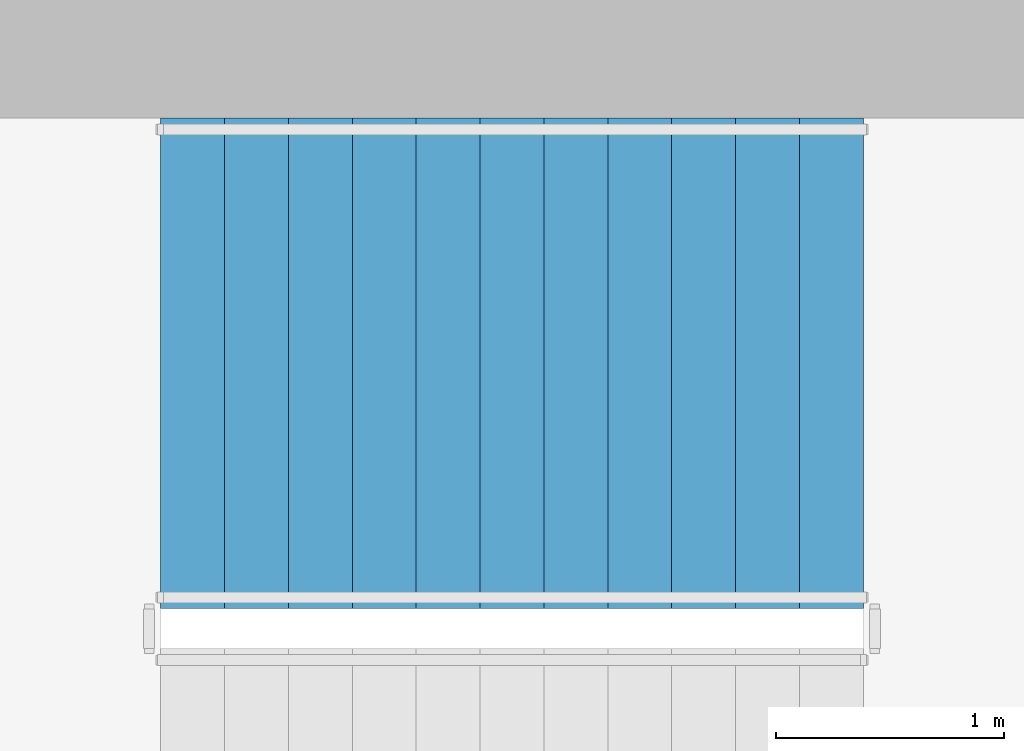
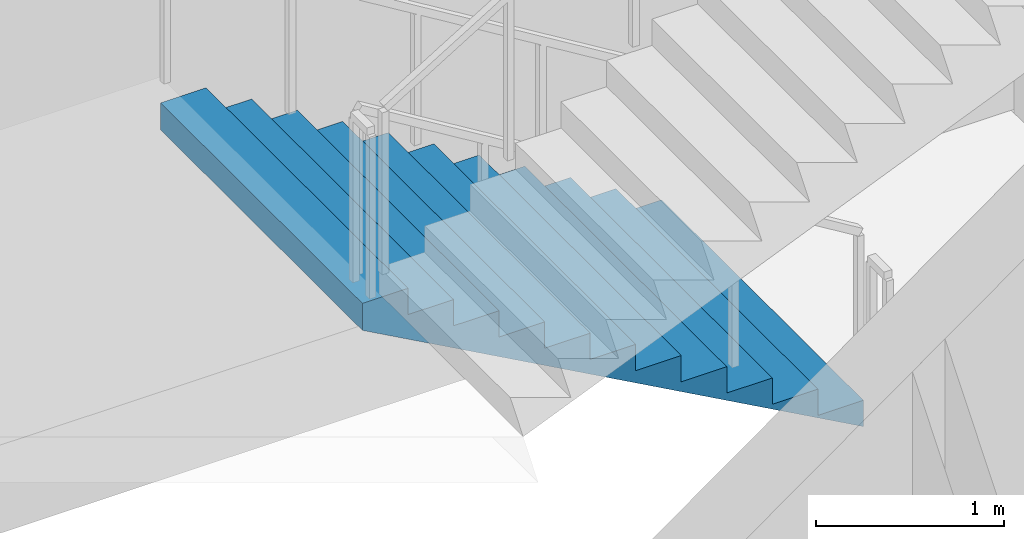
# One storey, part 9 of 14: 1 stair flight, 1 element without a shape of its own.
"""IFC4 building model written with IfcOpenShell, lengths in metres."""

from ifc_helpers import new_model, si_unit, direction, frame, origin, place, context, subcontext, project, spatial, triangles, material, type_object, element, aggregate, save


model = new_model("IFC4")

# Units and contexts
model_context = context("Model", 3, precision=1e-05, world=origin(), true_north=direction((0.0, 1.0)))
body_context = subcontext(model_context, "Body", "Model", "MODEL_VIEW")
ifc_project = project(units=[si_unit("LENGTHUNIT", "METRE"), si_unit("AREAUNIT", "SQUARE_METRE"), si_unit("VOLUMEUNIT", "CUBIC_METRE"), si_unit("PLANEANGLEUNIT", "RADIAN"), si_unit("MASSUNIT", "GRAM", prefix="KILO")], contexts=[model_context])

# Site, building, storey
site_placement = place(None, origin())
site = spatial("IfcSite", under=ifc_project, at=site_placement, CompositionType="ELEMENT")
building_placement = place(site_placement, origin())
building = spatial("IfcBuilding", under=site, at=building_placement, Name="Cypress Arch Tower", CompositionType="ELEMENT")
storey_placement = place(building_placement, frame((0.0, 0.0, 247.5)))
storey = spatial("IfcBuildingStorey", under=building, at=storey_placement, Name="L55", CompositionType="ELEMENT", Elevation=247.5)

# Stair, stair flight
ifc_material_1 = material(Name="Concrete C40/50", Category="concrete")
stair_type = type_object("IfcStairType", Name="Exit stair ES1708-215", PredefinedType="HALF_TURN_STAIR", material=ifc_material_1)
stair_placement = place(storey_placement, origin())
stair = element("IfcStair", 1, at=stair_placement, inside=storey, type_object=stair_type, Name="L55 Exit stair B", PredefinedType="HALF_TURN_STAIR")
ifc_material_2 = material(Name="Concrete C40/50", Category="concrete")
stair_flight_type = type_object("IfcStairFlightType", Name="Exit stair flight ES1708-215", PredefinedType="STRAIGHT", material=ifc_material_2)
stair_flight_placement = place(storey_placement, frame((-22.27490234375, 13.72509765625, 0.0), z_axis=(0.0, 0.0, 1.0), x_axis=(-1.0, 0.0, 0.0)))
stair_flight = element("IfcStairFlight", 2, at=stair_flight_placement, type_object=stair_flight_type, Name="B flight 1", NumberOfRisers=12, NumberOfTreads=11, PredefinedType="STRAIGHT", RiserHeight=0.170833333, TreadLength=0.28, context=body_context, shape_type="Tessellation", body=[
    triangles([(0.0, -1.074951171875, 0.0), (0.000244140625, -1.074951171875, 0.01904296875), (0.000244140625, -1.074951171875, 0.0380859375), (0.00048828125, -1.074951171875, 0.056884765625), (0.00048828125, -1.074951171875, 0.075927734375), (0.00048828125, -1.074951171875, 0.094970703125), (0.00048828125, -1.074951171875, 0.114013671875), (0.000244140625, -1.074951171875, 0.1328125), (0.000244140625, -1.074951171875, 0.15185546875), (0.0, -1.074951171875, 0.1708984375), (0.280029296875, -1.074951171875, 0.1708984375), (0.280029296875, -1.074951171875, 0.341552734375), (0.56005859375, -1.074951171875, 0.341552734375), (0.56005859375, -1.074951171875, 0.512451171875), (0.840087890625, -1.074951171875, 0.512451171875), (0.840087890625, -1.074951171875, 0.683349609375), (1.1201171875, -1.074951171875, 0.683349609375), (1.1201171875, -1.074951171875, 0.854248046875), (1.39990234375, -1.074951171875, 0.854248046875), (1.39990234375, -1.074951171875, 1.02490234375), (1.679931640625, -1.074951171875, 1.02490234375), (1.679931640625, -1.074951171875, 1.19580078125), (1.9599609375, -1.074951171875, 1.19580078125), (1.9599609375, -1.074951171875, 1.36669921875), (2.239990234375, -1.074951171875, 1.36669921875), (2.239990234375, -1.074951171875, 1.53759765625), (2.52001953125, -1.074951171875, 1.53759765625), (2.52001953125, -1.074951171875, 1.708251953125), (2.800048828125, -1.074951171875, 1.708251953125), (2.800048828125, -1.074951171875, 1.879150390625), (3.080078125, -1.074951171875, 1.879150390625), (3.079833984375, -1.074951171875, 1.859619140625), (3.079833984375, -1.074951171875, 1.840087890625), (3.07958984375, -1.074951171875, 1.820556640625), (3.07958984375, -1.074951171875, 1.801025390625), (3.07958984375, -1.074951171875, 1.78173828125), (3.07958984375, -1.074951171875, 1.76220703125), (3.079833984375, -1.074951171875, 1.74267578125), (3.079833984375, -1.074951171875, 1.72314453125), (3.080078125, -1.074951171875, 1.70361328125), (3.080078125, 1.074951171875, 1.70361328125), (3.079833984375, 1.074951171875, 1.72314453125), (3.079833984375, 1.074951171875, 1.74267578125), (3.07958984375, 1.074951171875, 1.76220703125), (3.07958984375, 1.074951171875, 1.78173828125), (3.07958984375, 1.074951171875, 1.801025390625), (3.07958984375, 1.074951171875, 1.820556640625), (3.079833984375, 1.074951171875, 1.840087890625), (3.079833984375, 1.074951171875, 1.859619140625), (3.080078125, 1.074951171875, 1.879150390625), (2.800048828125, 1.074951171875, 1.879150390625), (2.800048828125, 1.074951171875, 1.708251953125), (2.52001953125, 1.074951171875, 1.708251953125), (2.52001953125, 1.074951171875, 1.53759765625), (2.239990234375, 1.074951171875, 1.53759765625), (2.239990234375, 1.074951171875, 1.36669921875), (1.9599609375, 1.074951171875, 1.36669921875), (1.9599609375, 1.074951171875, 1.19580078125), (1.679931640625, 1.074951171875, 1.19580078125), (1.679931640625, 1.074951171875, 1.02490234375), (1.39990234375, 1.074951171875, 1.02490234375), (1.39990234375, 1.074951171875, 0.854248046875), (1.1201171875, 1.074951171875, 0.854248046875), (1.1201171875, 1.074951171875, 0.683349609375), (0.840087890625, 1.074951171875, 0.683349609375), (0.840087890625, 1.074951171875, 0.512451171875), (0.56005859375, 1.074951171875, 0.512451171875), (0.56005859375, 1.074951171875, 0.341552734375), (0.280029296875, 1.074951171875, 0.341552734375), (0.280029296875, 1.074951171875, 0.1708984375), (0.0, 1.074951171875, 0.1708984375), (0.000244140625, 1.074951171875, 0.15185546875), (0.000244140625, 1.074951171875, 0.1328125), (0.00048828125, 1.074951171875, 0.114013671875), (0.00048828125, 1.074951171875, 0.094970703125), (0.00048828125, 1.074951171875, 0.075927734375), (0.00048828125, 1.074951171875, 0.056884765625), (0.000244140625, 1.074951171875, 0.0380859375), (0.000244140625, 1.074951171875, 0.01904296875), (0.0, 1.074951171875, 0.0)], [[40, 39, 30], [39, 38, 30], [38, 37, 30], [37, 36, 30], [36, 35, 30], [35, 34, 30], [34, 33, 30], [33, 32, 30], [32, 31, 30], [19, 18, 17], [27, 26, 25], [25, 24, 23], [23, 22, 21], [17, 16, 15], [15, 14, 13], [10, 9, 11], [9, 8, 11], [8, 7, 11], [7, 6, 11], [6, 5, 11], [5, 4, 11], [4, 3, 11], [3, 2, 11], [2, 1, 11], [29, 28, 27], [21, 20, 19], [13, 12, 11], [40, 30, 29], [40, 29, 27], [40, 27, 25], [40, 25, 23], [40, 23, 21], [40, 21, 19], [40, 19, 17], [40, 17, 15], [40, 15, 13], [1, 40, 13], [13, 11, 1], [41, 51, 42], [42, 51, 43], [43, 51, 44], [44, 51, 45], [45, 51, 46], [46, 51, 47], [47, 51, 48], [48, 51, 49], [49, 51, 50], [62, 64, 63], [54, 56, 55], [56, 58, 57], [58, 60, 59], [64, 66, 65], [66, 68, 67], [71, 70, 72], [72, 70, 73], [73, 70, 74], [74, 70, 75], [75, 70, 76], [76, 70, 77], [77, 70, 78], [78, 70, 79], [79, 70, 80], [52, 54, 53], [60, 62, 61], [68, 70, 69], [41, 52, 51], [41, 54, 52], [41, 56, 54], [41, 58, 56], [41, 60, 58], [41, 62, 60], [41, 64, 62], [41, 66, 64], [41, 68, 66], [80, 68, 41], [68, 80, 70], [41, 42, 39], [41, 39, 40], [42, 43, 38], [42, 38, 39], [43, 44, 37], [43, 37, 38], [44, 45, 36], [44, 36, 37], [45, 46, 35], [45, 35, 36], [46, 47, 34], [46, 34, 35], [47, 48, 33], [47, 33, 34], [48, 49, 32], [48, 32, 33], [49, 50, 31], [49, 31, 32], [50, 51, 30], [50, 30, 31], [51, 52, 29], [51, 29, 30], [52, 53, 28], [52, 28, 29], [53, 54, 27], [53, 27, 28], [54, 55, 26], [54, 26, 27], [55, 56, 25], [55, 25, 26], [56, 57, 24], [56, 24, 25], [57, 58, 23], [57, 23, 24], [58, 59, 22], [58, 22, 23], [59, 60, 21], [59, 21, 22], [60, 61, 20], [60, 20, 21], [61, 62, 19], [61, 19, 20], [62, 63, 18], [62, 18, 19], [63, 64, 17], [63, 17, 18], [64, 65, 16], [64, 16, 17], [65, 66, 15], [65, 15, 16], [66, 67, 14], [66, 14, 15], [67, 68, 13], [67, 13, 14], [68, 69, 12], [68, 12, 13], [69, 70, 11], [69, 11, 12], [70, 71, 10], [70, 10, 11], [71, 72, 9], [71, 9, 10], [72, 73, 8], [72, 8, 9], [73, 74, 7], [73, 7, 8], [74, 75, 6], [74, 6, 7], [75, 76, 5], [75, 5, 6], [76, 77, 4], [76, 4, 5], [77, 78, 3], [77, 3, 4], [78, 79, 2], [78, 2, 3], [79, 80, 1], [79, 1, 2], [80, 41, 40], [80, 40, 1]], closed=True),
])
aggregate(stair, [stair_flight])

save(model, "model.ifc")
